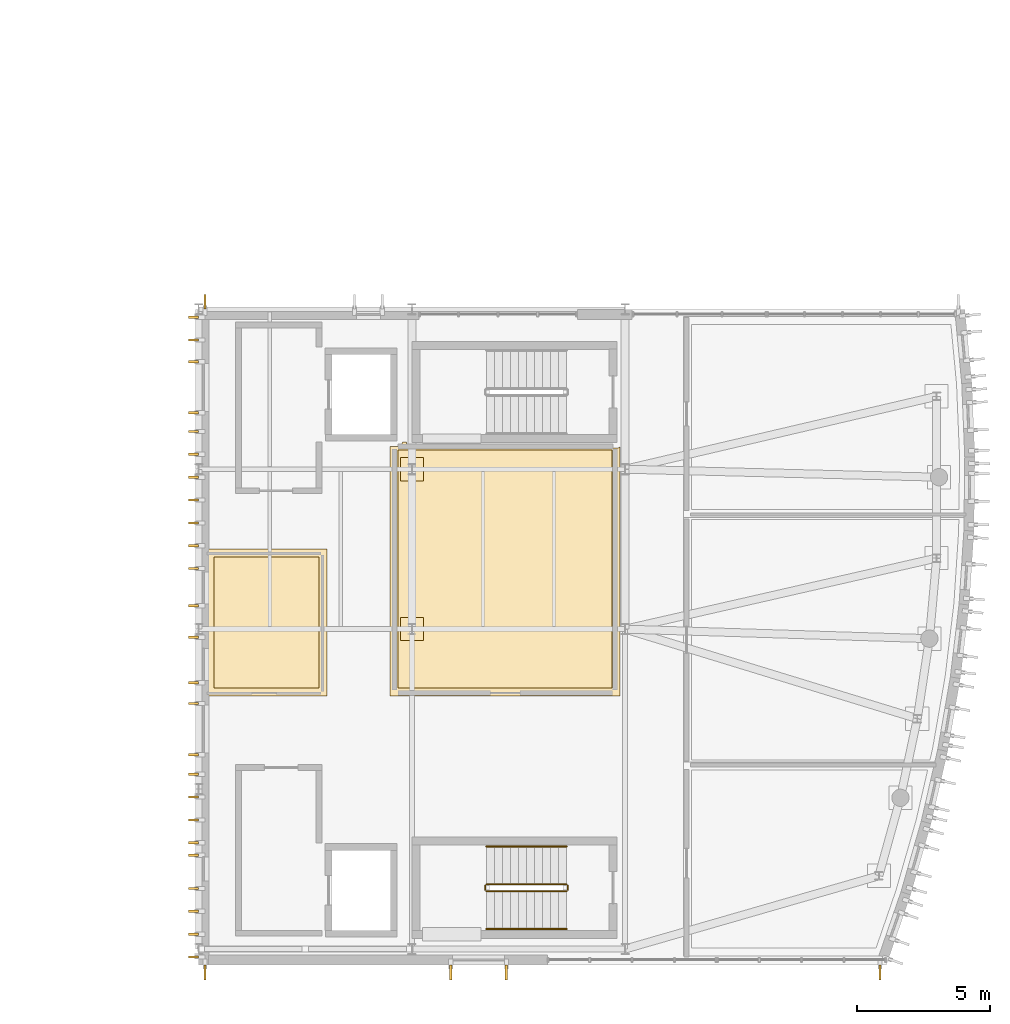
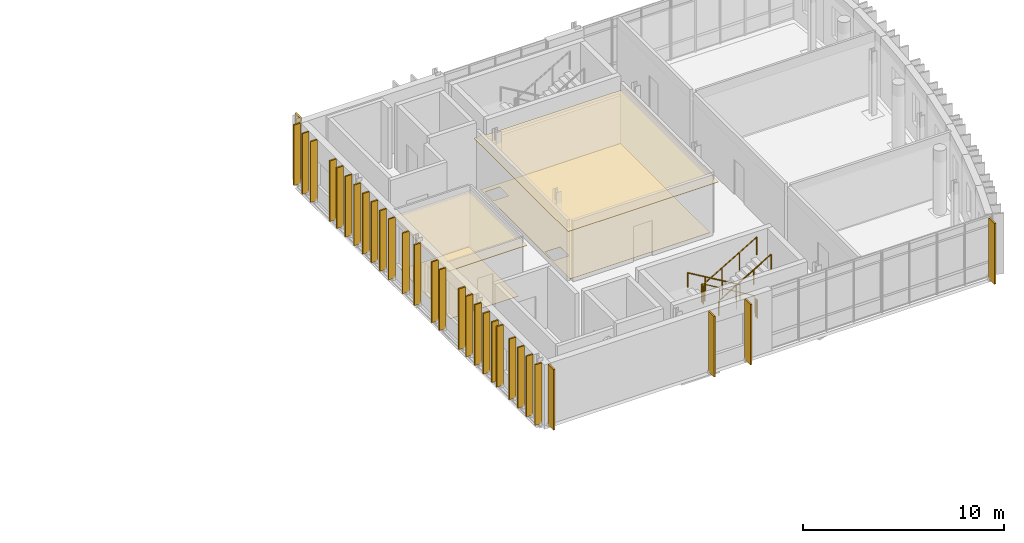
# One storey, part 13 of 14: 34 coverings, 6 railings.
"""IFC4 building model written with IfcOpenShell, lengths in metres."""

import ifcopenshell
import ifcopenshell.guid

model = None  # the IFC model being written
_history = None  # IfcOwnerHistory: only IFC2X3 demands one
_inside = {}  # id of a spatial element -> (the spatial element, [elements in it])
_under = {}  # id of a project, library or spatial element -> (it, [spatial elements below it])
_declared = {}  # id of a project -> (the project, [libraries it declares])
_typed = {}  # id of a type object -> (the type object, [elements of that type])
_made_of = {}  # id of a material, layer set ... -> (it, [elements and type objects made of it])


def new_model(schema):
    """Start an empty IFC model of exactly this schema.

    Asked for "IFC4X3", IfcOpenShell would pick the latest addendum, in which some entities
    have other attributes; the version numbers below select the first issue.
    IFC2X3 requires an IfcOwnerHistory on every rooted entity: one is made here for all.
    """
    global model, _history
    if schema == "IFC4X3":
        model = ifcopenshell.file(schema_version=(4, 3, 0, 0))
    else:
        model = ifcopenshell.file(schema=schema)
    _inside.clear()
    _under.clear()
    _declared.clear()
    _typed.clear()
    _made_of.clear()
    _history = None
    if model.schema == "IFC2X3":
        org = make("IfcOrganization", Name="unknown")
        user = make(
            "IfcPersonAndOrganization",
            ThePerson=make("IfcPerson", FamilyName="unknown"),
            TheOrganization=org,
        )
        app = make(
            "IfcApplication",
            ApplicationDeveloper=org,
            Version="unknown",
            ApplicationFullName="unknown",
            ApplicationIdentifier="unknown",
        )
        _history = make(
            "IfcOwnerHistory",
            OwningUser=user,
            OwningApplication=app,
            ChangeAction="ADDED",
            CreationDate=0,
        )
    return model


def make(cls, **values):
    """One entity of the class cls with the attributes given. An attribute that is None is left unset."""
    return model.create_entity(
        cls, **{name: value for name, value in values.items() if value is not None}
    )


def rooted(cls, **values):
    """An entity with a GlobalId (a new one), such as an element, a storey or a relation."""
    return make(cls, GlobalId=ifcopenshell.guid.new(), OwnerHistory=_history, **values)


def si_unit(unit_type, name, prefix=None):
    """IfcSIUnit, for example si_unit("LENGTHUNIT", "METRE", prefix="MILLI")."""
    return make("IfcSIUnit", UnitType=unit_type, Prefix=prefix, Name=name)


def assignment(units):
    """IfcUnitAssignment: the units of a project."""
    return None if units is None else make("IfcUnitAssignment", Units=units)


def point(xyz):
    """IfcCartesianPoint."""
    return None if xyz is None else make("IfcCartesianPoint", Coordinates=xyz)


def direction(xyz):
    """IfcDirection."""
    return None if xyz is None else make("IfcDirection", DirectionRatios=xyz)


def frame(location, z_axis=None, x_axis=None):
    """IfcAxis2Placement3D, a coordinate frame: its origin and axes. An axis left out is left unset."""
    return make(
        "IfcAxis2Placement3D",
        Location=point(location),
        Axis=direction(z_axis),
        RefDirection=direction(x_axis),
    )


def frame_2d(location, x_axis=None):
    """IfcAxis2Placement2D, a coordinate frame in the plane: its origin and x axis."""
    return make(
        "IfcAxis2Placement2D", Location=point(location), RefDirection=direction(x_axis)
    )


def origin():
    """The frame at (0, 0, 0) with its axes left unset."""
    return frame((0.0, 0.0, 0.0))


def origin_2d():
    """The frame at (0, 0) in the plane with its x axis left unset."""
    return frame_2d((0.0, 0.0))


def place(relative_to, where):
    """IfcLocalPlacement: puts the frame where relative to a parent placement (None: the world)."""
    return make(
        "IfcLocalPlacement", PlacementRelTo=relative_to, RelativePlacement=where
    )


def context(
    kind, dimensions, precision=None, world=None, true_north=None, identifier=None
):
    """IfcGeometricRepresentationContext, for example the 3D "Model" context."""
    return make(
        "IfcGeometricRepresentationContext",
        ContextIdentifier=identifier,
        ContextType=kind,
        CoordinateSpaceDimension=dimensions,
        Precision=precision,
        WorldCoordinateSystem=world,
        TrueNorth=true_north,
    )


def subcontext(parent, identifier, kind, view, scale=None):
    """IfcGeometricRepresentationSubContext, for example "Body" below "Model"."""
    return make(
        "IfcGeometricRepresentationSubContext",
        ContextIdentifier=identifier,
        ContextType=kind,
        ParentContext=parent,
        TargetScale=scale,
        TargetView=view,
    )


def project(units=None, contexts=None):
    """IfcProject with its units and contexts."""
    return rooted(
        "IfcProject",
        Name="project",
        RepresentationContexts=contexts,
        UnitsInContext=assignment(units),
    )


def spatial(cls, under=None, at=None, **own):
    """A site, building, storey or space (cls), placed at a placement, below another one or the project."""
    s = rooted(cls, ObjectPlacement=at, **own)
    if under is not None:
        _under.setdefault(under.id(), (under, []))[1].append(s)
    return s


def polyline(points):
    """IfcPolyline through the points."""
    return make("IfcPolyline", Points=[point(p) for p in points])


def profile(cls, at=None, kind="AREA", **sizes):
    """A parametric profile (cls). Its sizes go by their IFC names, for example OverallWidth=200.0."""
    return make(cls, ProfileType=kind, Position=at, **sizes)


def rectangle(**sizes):
    """IfcRectangleProfileDef."""
    return profile("IfcRectangleProfileDef", **sizes)


def circle(**sizes):
    """IfcCircleProfileDef."""
    return profile("IfcCircleProfileDef", **sizes)


def outline(outer, holes=None, kind="AREA"):
    """IfcArbitraryClosedProfileDef: a profile drawn as a closed curve; with holes, ...WithVoids."""
    if holes is None:
        return make("IfcArbitraryClosedProfileDef", ProfileType=kind, OuterCurve=outer)
    return make(
        "IfcArbitraryProfileDefWithVoids",
        ProfileType=kind,
        OuterCurve=outer,
        InnerCurves=holes,
    )


def extrude(swept, where, along, depth):
    """IfcExtrudedAreaSolid: the profile swept, set in the frame where, extruded along a direction by depth."""
    return make(
        "IfcExtrudedAreaSolid",
        SweptArea=swept,
        Position=where,
        ExtrudedDirection=direction(along),
        Depth=depth,
    )


def shape(context_of_items, identifier, shape_type, items):
    """IfcShapeRepresentation: the items that make up one representation, for example the "Body"."""
    return make(
        "IfcShapeRepresentation",
        ContextOfItems=context_of_items,
        RepresentationIdentifier=identifier,
        RepresentationType=shape_type,
        Items=items,
    )


def material(Name=None, Category=None):
    """IfcMaterial."""
    return make("IfcMaterial", Name=Name, Category=Category)


def layer(
    of_material, thickness, ventilated=None, Name=None, Category=None, Priority=None
):
    """IfcMaterialLayer: one layer of a wall or slab, of a material (None: an air gap)."""
    return make(
        "IfcMaterialLayer",
        Material=of_material,
        LayerThickness=thickness,
        IsVentilated=ventilated,
        Name=Name,
        Category=Category,
        Priority=Priority,
    )


def layer_set(layers, Name=None):
    """IfcMaterialLayerSet."""
    return make("IfcMaterialLayerSet", MaterialLayers=layers, LayerSetName=Name)


def made_of(thing, what):
    """Note that an element or type object is made of a material, layer set ...; save() writes the relation."""
    if what is not None:
        _made_of.setdefault(what.id(), (what, []))[1].append(thing)
    return thing


def type_object(cls, material=None, **own):
    """A type object (cls), such as IfcWallType, which elements share."""
    return made_of(rooted(cls, **own), material)


def element(
    cls,
    number,
    at=None,
    inside=None,
    cuts=None,
    type_object=None,
    material=None,
    context=None,
    identifier="Body",
    shape_type=None,
    held_by="IfcProductDefinitionShape",
    body=None,
    shapes=None,
    **own,
):
    """One element of the class cls, such as IfcWall. Its Tag is "e" and its number.

    at: its placement. inside: the storey or other place that contains it. cuts: it is an
    opening in that element (IfcRelVoidsElement). A single representation is given by context,
    identifier, shape_type and body (its items); several are given by shapes. held_by: the class
    of the entity that holds the representations. save() writes the other relations.
    """
    e = rooted(cls, Tag="e%d" % number, ObjectPlacement=at, **own)
    if body is not None:
        shapes = [shape(context, identifier, shape_type, body)]
    if shapes is not None:
        e.Representation = make(held_by, Representations=shapes)
    if inside is not None:
        _inside.setdefault(inside.id(), (inside, []))[1].append(e)
    if cuts is not None:
        rooted(
            "IfcRelVoidsElement", RelatingBuildingElement=cuts, RelatedOpeningElement=e
        )
    if type_object is not None:
        _typed.setdefault(type_object.id(), (type_object, []))[1].append(e)
    return made_of(e, material)


def aggregate(whole, parts):
    """IfcRelAggregates: a whole, such as a stair, and the parts it consists of."""
    return rooted("IfcRelAggregates", RelatingObject=whole, RelatedObjects=parts)


def save(model, path):
    """Write the relations noted so far, then the file.

    IfcRelAggregates (storeys below a building ...), IfcRelContainedInSpatialStructure (elements
    in a storey), IfcRelDefinesByType, IfcRelAssociatesMaterial and IfcRelDeclares: one each for
    every whole, place, type object, material and project.
    """
    for whole, parts in _under.values():
        aggregate(whole, parts)
    for where, things in _inside.values():
        rooted(
            "IfcRelContainedInSpatialStructure",
            RelatedElements=things,
            RelatingStructure=where,
        )
    for kind, things in _typed.values():
        rooted("IfcRelDefinesByType", RelatedObjects=things, RelatingType=kind)
    for what, things in _made_of.values():
        rooted("IfcRelAssociatesMaterial", RelatedObjects=things, RelatingMaterial=what)
    for by, libraries in _declared.values():
        rooted("IfcRelDeclares", RelatingContext=by, RelatedDefinitions=libraries)
    model.write(path)


model = new_model("IFC4")

# Units and contexts
model_context = context("Model", 3, precision=1e-05, world=origin(), true_north=direction((0.0, 1.0)))
body_context = subcontext(model_context, "Body", "Model", "MODEL_VIEW")
ifc_project = project(units=[si_unit("LENGTHUNIT", "METRE"), si_unit("AREAUNIT", "SQUARE_METRE"), si_unit("VOLUMEUNIT", "CUBIC_METRE"), si_unit("PLANEANGLEUNIT", "RADIAN"), si_unit("MASSUNIT", "GRAM", prefix="KILO")], contexts=[model_context])

# Site, building, storey
site_placement = place(None, origin())
site = spatial("IfcSite", under=ifc_project, at=site_placement, CompositionType="ELEMENT")
building_placement = place(site_placement, origin())
building = spatial("IfcBuilding", under=site, at=building_placement, Name="Cymarion Research Institute", CompositionType="ELEMENT")
storey_placement = place(building_placement, frame((0.0, 0.0, 34.5)))
storey = spatial("IfcBuildingStorey", under=building, at=storey_placement, Name="L08", CompositionType="ELEMENT", Elevation=34.5)

# Coverings
ifc_material_1 = material(Name="Micro-perforated mineral acoustic ceiling tile", Category="gypsum")
ifc_layer_1 = layer(ifc_material_1, 0.030029296875)
ifc_layer_set_1 = layer_set([ifc_layer_1], Name="Micro-perforated mineral acoustic ceiling tile")
covering_type_1 = type_object("IfcCoveringType", Name="ACOUSTIC MICRO-PERFORATED SUSPENDED CEILING CLG-01", PredefinedType="CEILING", material=ifc_layer_set_1)
covering_1_placement = place(storey_placement, frame((0.0, 0.0, 3.14990234375)))
element("IfcCovering", 1, at=covering_1_placement, inside=storey, type_object=covering_type_1, Name="L08 L08 Computational Biology Write-Up Studio acoustic ceiling", PredefinedType="CEILING", context=body_context, shape_type="SweptSolid", body=[
    extrude(outline(polyline([(143.4150390625, 20.514892578125), (143.4150390625, 14.985107421875), (138.885009765625, 14.985107421875), (138.885009765625, 20.514892578125), (143.4150390625, 20.514892578125)])), origin(), (0.0, 0.0, 1.0), 0.030029296875),
])
covering_2_placement = place(storey_placement, frame((0.0, 0.0, 3.14990234375)))
element("IfcCovering", 2, at=covering_2_placement, inside=storey, type_object=covering_type_1, Name="L08 L08 High-Throughput Screening & Cell Culture Lab acoustic ceiling", PredefinedType="CEILING", context=body_context, shape_type="SweptSolid", body=[
    extrude(outline(polyline([(146.39990234375, 24.514892578125), (146.39990234375, 24.5), (146.40087890625, 24.48046875), (146.40380859375, 24.4609375), (146.40869140625, 24.44189453125), (146.415283203125, 24.423583984375), (146.423583984375, 24.40576171875), (146.43359375, 24.388916015625), (146.4453125, 24.373046875), (146.45849609375, 24.358642578125), (146.47314453125, 24.345458984375), (146.489013671875, 24.333740234375), (146.505615234375, 24.323486328125), (146.5234375, 24.315185546875), (146.5419921875, 24.30859375), (146.56103515625, 24.3037109375), (146.580322265625, 24.301025390625), (146.60009765625, 24.300048828125), (154.300048828125, 24.300048828125), (154.319580078125, 24.301025390625), (154.339111328125, 24.3037109375), (154.358154296875, 24.30859375), (154.37646484375, 24.315185546875), (154.394287109375, 24.323486328125), (154.4111328125, 24.333740234375), (154.4150390625, 24.336669921875), (154.4150390625, 14.985107421875), (145.784912109375, 14.985107421875), (145.784912109375, 24.35009765625), (146.050048828125, 24.35009765625), (146.069580078125, 24.35107421875), (146.089111328125, 24.353759765625), (146.108154296875, 24.358642578125), (146.12646484375, 24.365234375), (146.144287109375, 24.37353515625), (146.1611328125, 24.3837890625), (146.177001953125, 24.3955078125), (146.19140625, 24.40869140625), (146.20458984375, 24.423095703125), (146.21630859375, 24.43896484375), (146.226318359375, 24.455810546875), (146.23486328125, 24.473388671875), (146.241455078125, 24.491943359375), (146.24609375, 24.510986328125), (146.246826171875, 24.514892578125), (146.39990234375, 24.514892578125)])), origin(), (0.0, 0.0, 1.0), 0.030029296875),
])
ifc_material_2 = material(Name="Precast concrete C45/55 architectural white", Category="concrete")
ifc_layer_2 = layer(ifc_material_2, 0.090087890625)
ifc_layer_set_2 = layer_set([ifc_layer_2], Name="Precast concrete C45/55 architectural white")
covering_type_2 = type_object("IfcCoveringType", Name="ARCHITECTURAL WHITE PRECAST CONCRETE VERTICAL FIN FIN1 560MM", PredefinedType="CLADDING", material=ifc_layer_set_2)
for number, where, z_axis, x_axis, name in (
    (3, (138.840087890625, 4.617919921875, 0.01025390625), (0.0, 0.0, 1.0), (0.0, -1.0, 0.0), "L08 V1 white precast vertical fin FIN1 #729"),
    (4, (148.055908203125, 4.617919921875, 0.01025390625), (0.0, 0.0, 1.0), (0.0, -1.0, 0.0), "L08 V1 white precast vertical fin FIN1 #730"),
    (5, (150.14599609375, 4.617919921875, 0.01025390625), (0.0, 0.0, 1.0), (0.0, -1.0, 0.0), "L08 V1 white precast vertical fin FIN1 #731"),
    (6, (164.159912109375, 4.617919921875, 0.01025390625), (0.0, 0.0, 1.0), (0.0, -1.0, 0.0), "L08 V1 white precast vertical fin FIN1 #732"),
    (7, (138.840087890625, 29.781982421875, 0.01025390625), (0.0, 0.0, 1.0), (0.0, 1.0, 0.0), "L08 V1 white precast vertical fin FIN1 #771"),
):
    element("IfcCovering", number, at=place(storey_placement, frame(where, z_axis=z_axis, x_axis=x_axis)), inside=storey, type_object=covering_type_2, Name=name, PredefinedType="CLADDING", context=body_context, shape_type="SweptSolid", body=[
        extrude(rectangle(XDim=0.56005859375, YDim=0.090087890625, at=origin_2d()), origin(), (0.0, 0.0, 1.0), 3.679931640625),
    ])
ifc_layer_3 = layer(ifc_material_2, 0.0849609375)
ifc_layer_set_3 = layer_set([ifc_layer_3], Name="Precast concrete C45/55 architectural white")
covering_type_3 = type_object("IfcCoveringType", Name="ARCHITECTURAL WHITE PRECAST CONCRETE VERTICAL FIN FIN3 380MM", PredefinedType="CLADDING", material=ifc_layer_set_3)
for number, where, z_axis, x_axis, name in (
    (8, (138.407958984375, 29.199951171875, 0.01025390625), (0.0, 0.0, 1.0), (-1.0, 0.0, 0.0), "L08 V1 white precast vertical fin FIN3 #772"),
    (9, (138.407958984375, 28.343017578125, 0.01025390625), (0.0, 0.0, 1.0), (-1.0, 0.0, 0.0), "L08 V1 white precast vertical fin FIN3 #773"),
    (10, (138.407958984375, 27.533935546875, 0.01025390625), (0.0, 0.0, 1.0), (-1.0, 0.0, 0.0), "L08 V1 white precast vertical fin FIN3 #774"),
    (11, (138.407958984375, 25.614013671875, 0.01025390625), (0.0, 0.0, 1.0), (-1.0, 0.0, 0.0), "L08 V1 white precast vertical fin FIN3 #775"),
    (12, (138.407958984375, 24.914306640625, 0.01025390625), (0.0, 0.0, 1.0), (-1.0, 0.0, 0.0), "L08 V1 white precast vertical fin FIN3 #776"),
    (13, (138.407958984375, 24.05712890625, 0.01025390625), (0.0, 0.0, 1.0), (-1.0, 0.0, 0.0), "L08 V1 white precast vertical fin FIN3 #777"),
    (14, (138.407958984375, 23.199951171875, 0.01025390625), (0.0, 0.0, 1.0), (-1.0, 0.0, 0.0), "L08 V1 white precast vertical fin FIN3 #778"),
    (15, (138.407958984375, 22.343017578125, 0.01025390625), (0.0, 0.0, 1.0), (-1.0, 0.0, 0.0), "L08 V1 white precast vertical fin FIN3 #779"),
    (16, (138.407958984375, 21.485595703125, 0.01025390625), (0.0, 0.0, 1.0), (-1.0, 0.0, 0.0), "L08 V1 white precast vertical fin FIN3 #780"),
    (17, (138.407958984375, 20.628662109375, 0.01025390625), (0.0, 0.0, 1.0), (-1.0, 0.0, 0.0), "L08 V1 white precast vertical fin FIN3 #781"),
    (18, (138.407958984375, 19.771484375, 0.01025390625), (0.0, 0.0, 1.0), (-1.0, 0.0, 0.0), "L08 V1 white precast vertical fin FIN3 #782"),
    (19, (138.407958984375, 18.3798828125, 0.01025390625), (0.0, 0.0, 1.0), (-1.0, 0.0, 0.0), "L08 V1 white precast vertical fin FIN3 #783"),
    (20, (138.407958984375, 17.199951171875, 0.01025390625), (0.0, 0.0, 1.0), (-1.0, 0.0, 0.0), "L08 V1 white precast vertical fin FIN3 #784"),
    (21, (138.407958984375, 15.485595703125, 0.01025390625), (0.0, 0.0, 1.0), (-1.0, 0.0, 0.0), "L08 V1 white precast vertical fin FIN3 #785"),
    (22, (138.407958984375, 14.7099609375, 0.01025390625), (0.0, 0.0, 1.0), (-1.0, 0.0, 0.0), "L08 V1 white precast vertical fin FIN3 #786"),
    (23, (138.407958984375, 12.7900390625, 0.01025390625), (0.0, 0.0, 1.0), (-1.0, 0.0, 0.0), "L08 V1 white precast vertical fin FIN3 #787"),
    (24, (138.407958984375, 12.05712890625, 0.01025390625), (0.0, 0.0, 1.0), (-1.0, 0.0, 0.0), "L08 V1 white precast vertical fin FIN3 #788"),
    (25, (138.407958984375, 11.199951171875, 0.01025390625), (0.0, 0.0, 1.0), (-1.0, 0.0, 0.0), "L08 V1 white precast vertical fin FIN3 #789"),
    (26, (138.407958984375, 10.343017578125, 0.01025390625), (0.0, 0.0, 1.0), (-1.0, 0.0, 0.0), "L08 V1 white precast vertical fin FIN3 #790"),
    (27, (138.407958984375, 9.485595703125, 0.01025390625), (0.0, 0.0, 1.0), (-1.0, 0.0, 0.0), "L08 V1 white precast vertical fin FIN3 #791"),
    (28, (138.407958984375, 9.02001953125, 0.01025390625), (0.0, 0.0, 1.0), (-1.0, 0.0, 0.0), "L08 V1 white precast vertical fin FIN3 #792"),
    (29, (138.407958984375, 7.771484375, 0.01025390625), (0.0, 0.0, 1.0), (-1.0, 0.0, 0.0), "L08 V1 white precast vertical fin FIN3 #793"),
    (30, (138.407958984375, 6.914306640625, 0.01025390625), (0.0, 0.0, 1.0), (-1.0, 0.0, 0.0), "L08 V1 white precast vertical fin FIN3 #794"),
    (31, (138.407958984375, 6.05712890625, 0.01025390625), (0.0, 0.0, 1.0), (-1.0, 0.0, 0.0), "L08 V1 white precast vertical fin FIN3 #795"),
    (32, (138.407958984375, 5.199951171875, 0.01025390625), (0.0, 0.0, 1.0), (-1.0, 0.0, 0.0), "L08 V1 white precast vertical fin FIN3 #796"),
):
    element("IfcCovering", number, at=place(storey_placement, frame(where, z_axis=z_axis, x_axis=x_axis)), inside=storey, type_object=covering_type_3, Name=name, PredefinedType="CLADDING", context=body_context, shape_type="SweptSolid", body=[
        extrude(rectangle(XDim=0.3798828125, YDim=0.0849609375, at=origin_2d()), origin(), (0.0, 0.0, 1.0), 3.679931640625),
    ])

# Railings
ifc_material_3 = material(Name="Steel S355", Category="steel")
railing_type_1 = type_object("IfcRailingType", Name="PAINTED STEEL STAIR GUARDRAIL GR1 1100MM", PredefinedType="GUARDRAIL", material=ifc_material_3)
railing_1_placement = place(storey_placement, frame((152.39990234375, 7.929931640625, 0.17724609375)))
element("IfcRailing", 33, at=railing_1_placement, inside=storey, type_object=railing_type_1, Name="L08 ST1 stair guard 1", PredefinedType="GUARDRAIL", context=body_context, shape_type="SweptSolid", body=[
    extrude(circle(Radius=0.02392578125, at=origin_2d()), frame((0.0, 0.0, 1.076171875), z_axis=(-0.86092931783, 0.0, 0.508724591208), x_axis=(0.0, -1.0, 0.0)), (0.0, 0.0, 1.0), 3.484619140625),
    extrude(circle(Radius=0.02099609375, at=origin_2d()), origin(), (0.0, 0.0, 1.0), 1.052001953125),
    extrude(circle(Radius=0.02099609375, at=origin_2d()), frame((-1.0, 0.0, 0.5908203125)), (0.0, 0.0, 1.0), 1.052001953125),
    extrude(circle(Radius=0.02099609375, at=origin_2d()), frame((-2.0, 0.0, 1.181884765625)), (0.0, 0.0, 1.0), 1.052001953125),
    extrude(circle(Radius=0.02099609375, at=origin_2d()), frame((-3.0, 0.0, 1.772705078125)), (0.0, 0.0, 1.0), 1.052001953125),
])
railing_2_placement = place(storey_placement, frame((149.35009765625, 7.8798828125, 1.949951171875)))
element("IfcRailing", 34, at=railing_2_placement, inside=storey, type_object=railing_type_1, Name="L08 ST1 stair guard 2", PredefinedType="GUARDRAIL", context=body_context, shape_type="SweptSolid", body=[
    extrude(circle(Radius=0.02392578125, at=origin_2d()), frame((0.0, 0.0, 1.076171875), z_axis=(0.0, -1.0, 0.0), x_axis=(1.0, 0.0, 0.0)), (0.0, 0.0, 1.0), 0.159912109375),
    extrude(circle(Radius=0.02099609375, at=origin_2d()), origin(), (0.0, 0.0, 1.0), 1.052001953125),
    extrude(circle(Radius=0.02099609375, at=origin_2d()), frame((0.0, -0.159912109375, 0.0)), (0.0, 0.0, 1.0), 1.052001953125),
])
railing_3_placement = place(storey_placement, frame((149.39990234375, 7.669921875, 2.127197265625)))
element("IfcRailing", 35, at=railing_3_placement, inside=storey, type_object=railing_type_1, Name="L08 ST1 stair guard 3", PredefinedType="GUARDRAIL", context=body_context, shape_type="SweptSolid", body=[
    extrude(circle(Radius=0.02392578125, at=origin_2d()), frame((0.0, 0.0, 1.076171875), z_axis=(0.86092931783, 0.0, 0.508724591208), x_axis=(0.0, 1.0, 0.0)), (0.0, 0.0, 1.0), 3.484619140625),
    extrude(circle(Radius=0.02099609375, at=origin_2d()), origin(), (0.0, 0.0, 1.0), 1.052001953125),
    extrude(circle(Radius=0.02099609375, at=origin_2d()), frame((1.0, 0.0, 0.5908203125)), (0.0, 0.0, 1.0), 1.052001953125),
    extrude(circle(Radius=0.02099609375, at=origin_2d()), frame((2.0, 0.0, 1.181884765625)), (0.0, 0.0, 1.0), 1.052001953125),
    extrude(circle(Radius=0.02099609375, at=origin_2d()), frame((3.0, 0.0, 1.772705078125)), (0.0, 0.0, 1.0), 1.052001953125),
])
railing_4_placement = place(storey_placement, frame((152.449951171875, 7.8798828125, 0.0)))
element("IfcRailing", 36, at=railing_4_placement, inside=storey, type_object=railing_type_1, Name="L08 ST1 stair guard 4", PredefinedType="GUARDRAIL", context=body_context, shape_type="SweptSolid", body=[
    extrude(circle(Radius=0.02392578125, at=origin_2d()), frame((0.0, 0.0, 1.076171875), z_axis=(0.0, -1.0, 0.0), x_axis=(1.0, 0.0, 0.0)), (0.0, 0.0, 1.0), 0.159912109375),
    extrude(circle(Radius=0.02099609375, at=origin_2d()), origin(), (0.0, 0.0, 1.0), 1.052001953125),
    extrude(circle(Radius=0.02099609375, at=origin_2d()), frame((0.0, -0.159912109375, 0.0)), (0.0, 0.0, 1.0), 1.052001953125),
])

# Coverings
ifc_material_4 = material(Name="Seamless dissipative epoxy resin flooring", Category="resin")
ifc_layer_4 = layer(ifc_material_4, 0.02001953125)
ifc_layer_set_4 = layer_set([ifc_layer_4], Name="Seamless dissipative epoxy resin flooring")
covering_type_4 = type_object("IfcCoveringType", Name="SEAMLESS ESD EPOXY LABORATORY FLOORING FLR-01", PredefinedType="FLOORING", material=ifc_layer_set_4)
covering_3_placement = place(storey_placement, origin())
element("IfcCovering", 37, at=covering_3_placement, inside=storey, type_object=covering_type_4, Name="L08 L08 Computational Biology Write-Up Studio ESD epoxy flooring", PredefinedType="FLOORING", context=body_context, shape_type="SweptSolid", body=[
    extrude(outline(polyline([(139.18505859375, 20.215087890625), (143.114990234375, 20.215087890625), (143.114990234375, 15.284912109375), (139.18505859375, 15.284912109375), (139.18505859375, 20.215087890625)])), origin(), (0.0, 0.0, 1.0), 0.02001953125),
])
covering_4_placement = place(storey_placement, origin())
element("IfcCovering", 38, at=covering_4_placement, inside=storey, type_object=covering_type_4, Name="L08 L08 High-Throughput Screening & Cell Culture Lab ESD epoxy flooring", PredefinedType="FLOORING", context=body_context, shape_type="SweptSolid", body=[
    extrude(outline(polyline([(146.0849609375, 24.215087890625), (154.114990234375, 24.215087890625), (154.114990234375, 15.284912109375), (146.0849609375, 15.284912109375), (146.0849609375, 24.215087890625)]), holes=[polyline([(146.1650390625, 17.06494140625), (147.034912109375, 17.06494140625), (147.034912109375, 17.93505859375), (146.1650390625, 17.93505859375), (146.1650390625, 17.06494140625)]), polyline([(147.034912109375, 23.06494140625), (147.034912109375, 23.93505859375), (146.1650390625, 23.93505859375), (146.1650390625, 23.06494140625), (147.034912109375, 23.06494140625)])]), origin(), (0.0, 0.0, 1.0), 0.02001953125),
])

# Railings
railing_type_2 = type_object("IfcRailingType", Name="STAINLESS STEEL STAIR HANDRAIL HR1 900MM", PredefinedType="HANDRAIL", material=ifc_material_3)
railing_5_placement = place(storey_placement, frame((152.39990234375, 9.35009765625, 0.17724609375)))
element("IfcRailing", 39, at=railing_5_placement, inside=storey, type_object=railing_type_2, Name="L08 ST1 stair handrail 1", PredefinedType="HANDRAIL", context=body_context, shape_type="SweptSolid", body=[
    extrude(circle(Radius=0.02392578125, at=origin_2d()), frame((0.0, 0.0, 0.8759765625), z_axis=(-0.86092931783, 0.0, 0.508724591208), x_axis=(0.0, -1.0, 0.0)), (0.0, 0.0, 1.0), 3.484619140625),
    extrude(circle(Radius=0.02099609375, at=origin_2d()), origin(), (0.0, 0.0, 1.0), 0.851806640625),
    extrude(circle(Radius=0.02099609375, at=origin_2d()), frame((-1.0, 0.0, 0.5908203125)), (0.0, 0.0, 1.0), 0.851806640625),
    extrude(circle(Radius=0.02099609375, at=origin_2d()), frame((-2.0, 0.0, 1.181884765625)), (0.0, 0.0, 1.0), 0.851806640625),
    extrude(circle(Radius=0.02099609375, at=origin_2d()), frame((-3.0, 0.0, 1.772705078125)), (0.0, 0.0, 1.0), 0.851806640625),
])
railing_6_placement = place(storey_placement, frame((149.39990234375, 6.25, 2.127197265625)))
element("IfcRailing", 40, at=railing_6_placement, inside=storey, type_object=railing_type_2, Name="L08 ST1 stair handrail 2", PredefinedType="HANDRAIL", context=body_context, shape_type="SweptSolid", body=[
    extrude(circle(Radius=0.02392578125, at=origin_2d()), frame((0.0, 0.0, 0.8759765625), z_axis=(0.86092931783, 0.0, 0.508724591208), x_axis=(0.0, 1.0, 0.0)), (0.0, 0.0, 1.0), 3.484619140625),
    extrude(circle(Radius=0.02099609375, at=origin_2d()), origin(), (0.0, 0.0, 1.0), 0.851806640625),
    extrude(circle(Radius=0.02099609375, at=origin_2d()), frame((1.0, 0.0, 0.5908203125)), (0.0, 0.0, 1.0), 0.851806640625),
    extrude(circle(Radius=0.02099609375, at=origin_2d()), frame((2.0, 0.0, 1.181884765625)), (0.0, 0.0, 1.0), 0.851806640625),
    extrude(circle(Radius=0.02099609375, at=origin_2d()), frame((3.0, 0.0, 1.772705078125)), (0.0, 0.0, 1.0), 0.851806640625),
])

save(model, "model.ifc")
